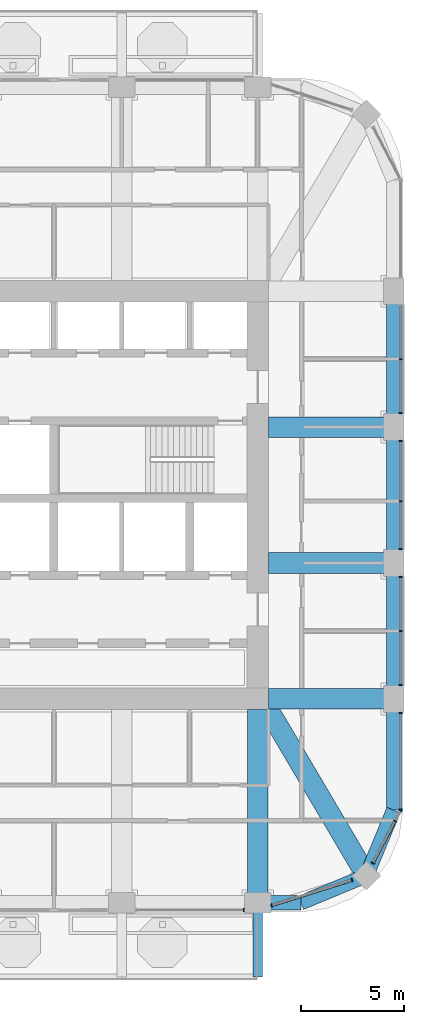
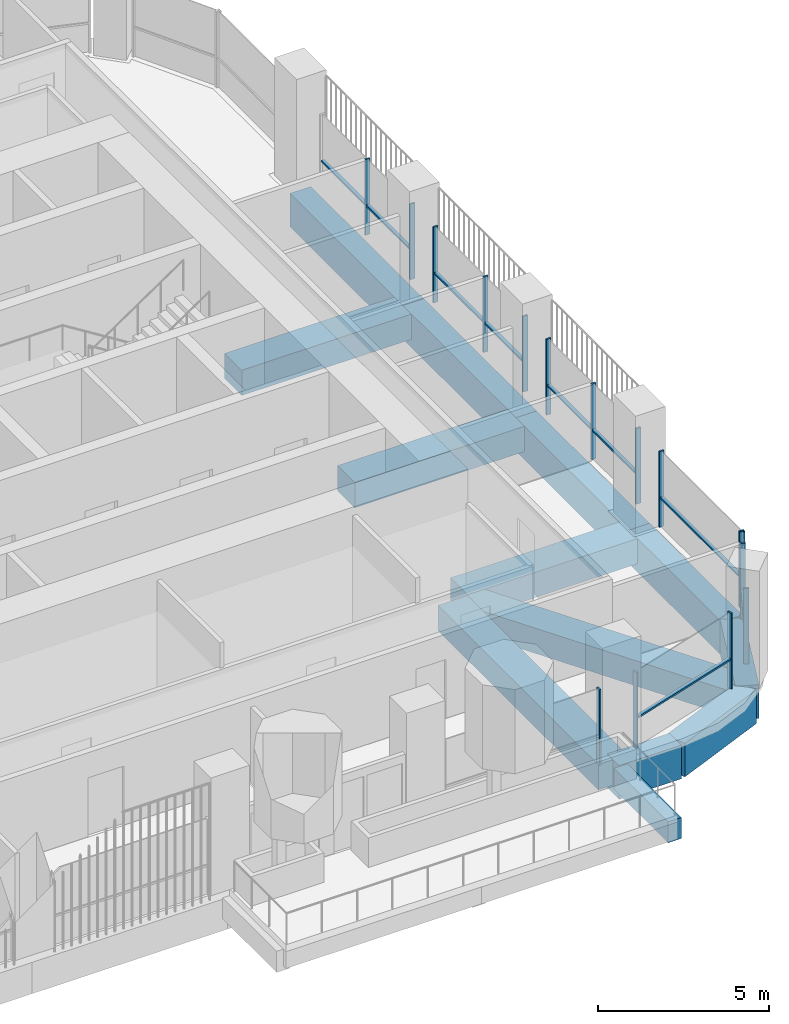
# One storey, part 5 of 21: 25 members, 13 beams, 7 elements without a shape of their own.
"""IFC4 building model written with IfcOpenShell, lengths in metres."""

from ifc_helpers import new_model, si_unit, direction, frame, origin, origin_2d, place, context, subcontext, project, spatial, rectangle, extrude, material, material_profile, profile_set, type_object, element, aggregate, save


model = new_model("IFC4")

# Units and contexts
model_context = context("Model", 3, precision=1e-05, world=origin(), true_north=direction((0.0, 1.0)))
body_context = subcontext(model_context, "Body", "Model", "MODEL_VIEW")
ifc_project = project(units=[si_unit("LENGTHUNIT", "METRE"), si_unit("AREAUNIT", "SQUARE_METRE"), si_unit("VOLUMEUNIT", "CUBIC_METRE"), si_unit("PLANEANGLEUNIT", "RADIAN"), si_unit("MASSUNIT", "GRAM", prefix="KILO")], contexts=[model_context])

# Site, building, storey
site_placement = place(None, origin())
site = spatial("IfcSite", under=ifc_project, at=site_placement, CompositionType="ELEMENT")
building_placement = place(site_placement, origin())
building = spatial("IfcBuilding", under=site, at=building_placement, Name="Cobogo Forest Laboratory Tower", CompositionType="ELEMENT")
storey_placement = place(building_placement, frame((0.0, 0.0, 250.199951171875)))
storey = spatial("IfcBuildingStorey", under=building, at=storey_placement, Name="L57", CompositionType="ELEMENT", Elevation=250.199951171875)

# Beam
ifc_material_1 = material(Name="Concrete HA-40 (C40/50)", Category="concrete")
ifc_material_profile_1 = material_profile(ifc_material_1, rectangle(XDim=0.449951171875, YDim=0.75, at=origin_2d()), Name="RC 450x750")
ifc_profile_set_1 = profile_set([ifc_material_profile_1], Name="Concrete HA-40 (C40/50)")
beam_type_1 = type_object("IfcBeamType", Name="Balcony cantilever beam 450x750", PredefinedType="BEAM", material=ifc_profile_set_1)
beam_1_placement = place(storey_placement, frame((39.60009765625, 2.85009765625, -0.625), z_axis=(0.0, -1.0, 0.0), x_axis=(1.0, 0.0, 0.0)))
element("IfcBeam", 1, at=beam_1_placement, inside=storey, type_object=beam_type_1, Name="CB1 BAL-S1-C3 L57", PredefinedType="BEAM", context=body_context, shape_type="SweptSolid", body=[
    extrude(rectangle(XDim=0.449951171875, YDim=0.75, at=origin_2d()), origin(), (0.0, 0.0, 1.0), 3.150146484375),
])

# Curtain wall, member
ifc_material_2 = material(Name="Aluminium curtain wall", Category="aluminium")
curtain_wall_type = type_object("IfcCurtainWallType", Name="CW-2 unitised curtain wall, solar control glazing, laboratory floors zones C and D", PredefinedType="USERDEFINED", material=ifc_material_2)
curtain_wall_1_placement = place(storey_placement, origin())
curtain_wall_1 = element("IfcCurtainWall", 2, at=curtain_wall_1_placement, inside=storey, type_object=curtain_wall_type, Name="Curtain wall 04 L57", ObjectType="UNITISED CURTAIN WALL", PredefinedType="USERDEFINED")
ifc_material_3 = material(Name="Aluminium mullion", Category="aluminium")
ifc_material_profile_2 = material_profile(ifc_material_3, rectangle(XDim=0.06005859375, YDim=0.159912109375, at=origin_2d()), Name="AL 60x160")
ifc_profile_set_2 = profile_set([ifc_material_profile_2], Name="Aluminium mullion")
member_type_1 = type_object("IfcMemberType", Name="MU-1 aluminium mullion 60x160", PredefinedType="MULLION", material=ifc_profile_set_2)
member_1_placement = place(storey_placement, frame((38.919921875, 2.949951171875, 0.0), z_axis=(0.0, 0.0, 1.0), x_axis=(1.0, 0.0, 0.0)))
member_1 = element("IfcMember", 3, at=member_1_placement, type_object=member_type_1, Name="CW-2 mullion 2", PredefinedType="MULLION", context=body_context, shape_type="SweptSolid", body=[
    extrude(rectangle(XDim=0.06005859375, YDim=0.159912109375, at=origin_2d()), origin(), (0.0, 0.0, 1.0), 2.699951171875),
])
aggregate(curtain_wall_1, [member_1])

# Curtain wall, members
curtain_wall_2_placement = place(storey_placement, origin())
curtain_wall_2 = element("IfcCurtainWall", 4, at=curtain_wall_2_placement, inside=storey, type_object=curtain_wall_type, Name="Curtain wall 05 L57", ObjectType="UNITISED CURTAIN WALL", PredefinedType="USERDEFINED")
member_2_placement = place(storey_placement, frame((40.278564453125, 3.164306640625, 0.0), z_axis=(0.0, 0.0, 1.0), x_axis=(0.953581386052, 0.301135418334, 0.0)))
member_2 = element("IfcMember", 5, at=member_2_placement, type_object=member_type_1, Name="CW-2 mullion 1", PredefinedType="MULLION", context=body_context, shape_type="SweptSolid", body=[
    extrude(rectangle(XDim=0.06005859375, YDim=0.159912109375, at=origin_2d()), origin(), (0.0, 0.0, 1.0), 2.699951171875),
])
member_3_placement = place(storey_placement, frame((44.17626953125, 4.395263671875, 0.0), z_axis=(0.0, 0.0, 1.0), x_axis=(0.953581386052, 0.301135418334, 0.0)))
member_3 = element("IfcMember", 6, at=member_3_placement, type_object=member_type_1, Name="CW-2 mullion 2", PredefinedType="MULLION", context=body_context, shape_type="SweptSolid", body=[
    extrude(rectangle(XDim=0.06005859375, YDim=0.159912109375, at=origin_2d()), origin(), (0.0, 0.0, 1.0), 2.699951171875),
])

curtain_wall_3_placement = place(storey_placement, origin())
curtain_wall_3 = element("IfcCurtainWall", 7, at=curtain_wall_3_placement, inside=storey, type_object=curtain_wall_type, Name="Curtain wall 06 L57", ObjectType="UNITISED CURTAIN WALL", PredefinedType="USERDEFINED")
member_4_placement = place(storey_placement, frame((45.202392578125, 5.229248046875, 0.0), z_axis=(0.0, 0.0, 1.0), x_axis=(0.464283791352, 0.885686491422, 0.0)))
member_4 = element("IfcMember", 8, at=member_4_placement, type_object=member_type_1, Name="CW-2 mullion 1", PredefinedType="MULLION", context=body_context, shape_type="SweptSolid", body=[
    extrude(rectangle(XDim=0.06005859375, YDim=0.159912109375, at=origin_2d()), origin(), (0.0, 0.0, 1.0), 2.699951171875),
])
member_5_placement = place(storey_placement, frame((46.268310546875, 7.262939453125, 0.0), z_axis=(0.0, 0.0, 1.0), x_axis=(0.464283791352, 0.885686491422, 0.0)))
member_5 = element("IfcMember", 9, at=member_5_placement, type_object=member_type_1, Name="CW-2 mullion 2", PredefinedType="MULLION", context=body_context, shape_type="SweptSolid", body=[
    extrude(rectangle(XDim=0.06005859375, YDim=0.159912109375, at=origin_2d()), origin(), (0.0, 0.0, 1.0), 2.699951171875),
])
member_6_placement = place(storey_placement, frame((46.5361328125, 7.7734375, 0.0), z_axis=(0.0, 0.0, 1.0), x_axis=(0.464283791352, 0.885686491422, 0.0)))
member_6 = element("IfcMember", 10, at=member_6_placement, type_object=member_type_1, Name="CW-2 mullion 3", PredefinedType="MULLION", context=body_context, shape_type="SweptSolid", body=[
    extrude(rectangle(XDim=0.06005859375, YDim=0.159912109375, at=origin_2d()), origin(), (0.0, 0.0, 1.0), 2.699951171875),
])

curtain_wall_4_placement = place(storey_placement, origin())
curtain_wall_4 = element("IfcCurtainWall", 11, at=curtain_wall_4_placement, inside=storey, type_object=curtain_wall_type, Name="Curtain wall 07 L57", ObjectType="UNITISED CURTAIN WALL", PredefinedType="USERDEFINED")
member_7_placement = place(storey_placement, frame((46.550048828125, 7.830078125, 0.0), z_axis=(0.0, 0.0, 1.0), x_axis=(0.0, 1.0, 0.0)))
member_7 = element("IfcMember", 12, at=member_7_placement, type_object=member_type_1, Name="CW-2 mullion 1", PredefinedType="MULLION", context=body_context, shape_type="SweptSolid", body=[
    extrude(rectangle(XDim=0.06005859375, YDim=0.159912109375, at=origin_2d()), origin(), (0.0, 0.0, 1.0), 2.699951171875),
])
member_8_placement = place(storey_placement, frame((46.550048828125, 12.52001953125, 0.0), z_axis=(0.0, 0.0, 1.0), x_axis=(0.0, 1.0, 0.0)))
member_8 = element("IfcMember", 13, at=member_8_placement, type_object=member_type_1, Name="CW-2 mullion 2", PredefinedType="MULLION", context=body_context, shape_type="SweptSolid", body=[
    extrude(rectangle(XDim=0.06005859375, YDim=0.159912109375, at=origin_2d()), origin(), (0.0, 0.0, 1.0), 2.699951171875),
])

curtain_wall_5_placement = place(storey_placement, origin())
curtain_wall_5 = element("IfcCurtainWall", 14, at=curtain_wall_5_placement, inside=storey, type_object=curtain_wall_type, Name="Curtain wall 08 L57", ObjectType="UNITISED CURTAIN WALL", PredefinedType="USERDEFINED")
member_9_placement = place(storey_placement, frame((46.550048828125, 13.8798828125, 0.0), z_axis=(0.0, 0.0, 1.0), x_axis=(0.0, 1.0, 0.0)))
member_9 = element("IfcMember", 15, at=member_9_placement, type_object=member_type_1, Name="CW-2 mullion 1", PredefinedType="MULLION", context=body_context, shape_type="SweptSolid", body=[
    extrude(rectangle(XDim=0.06005859375, YDim=0.159912109375, at=origin_2d()), origin(), (0.0, 0.0, 1.0), 2.699951171875),
])
member_10_placement = place(storey_placement, frame((46.550048828125, 16.5, 0.0), z_axis=(0.0, 0.0, 1.0), x_axis=(0.0, 1.0, 0.0)))
member_10 = element("IfcMember", 16, at=member_10_placement, type_object=member_type_1, Name="CW-2 mullion 2", PredefinedType="MULLION", context=body_context, shape_type="SweptSolid", body=[
    extrude(rectangle(XDim=0.06005859375, YDim=0.159912109375, at=origin_2d()), origin(), (0.0, 0.0, 1.0), 2.699951171875),
])
member_11_placement = place(storey_placement, frame((46.550048828125, 19.1201171875, 0.0), z_axis=(0.0, 0.0, 1.0), x_axis=(0.0, 1.0, 0.0)))
member_11 = element("IfcMember", 17, at=member_11_placement, type_object=member_type_1, Name="CW-2 mullion 3", PredefinedType="MULLION", context=body_context, shape_type="SweptSolid", body=[
    extrude(rectangle(XDim=0.06005859375, YDim=0.159912109375, at=origin_2d()), origin(), (0.0, 0.0, 1.0), 2.699951171875),
])

curtain_wall_6_placement = place(storey_placement, origin())
curtain_wall_6 = element("IfcCurtainWall", 18, at=curtain_wall_6_placement, inside=storey, type_object=curtain_wall_type, Name="Curtain wall 09 L57", ObjectType="UNITISED CURTAIN WALL", PredefinedType="USERDEFINED")
member_12_placement = place(storey_placement, frame((46.550048828125, 20.47998046875, 0.0), z_axis=(0.0, 0.0, 1.0), x_axis=(0.0, 1.0, 0.0)))
member_12 = element("IfcMember", 19, at=member_12_placement, type_object=member_type_1, Name="CW-2 mullion 1", PredefinedType="MULLION", context=body_context, shape_type="SweptSolid", body=[
    extrude(rectangle(XDim=0.06005859375, YDim=0.159912109375, at=origin_2d()), origin(), (0.0, 0.0, 1.0), 2.699951171875),
])
member_13_placement = place(storey_placement, frame((46.550048828125, 22.800048828125, 0.0), z_axis=(0.0, 0.0, 1.0), x_axis=(0.0, 1.0, 0.0)))
member_13 = element("IfcMember", 20, at=member_13_placement, type_object=member_type_1, Name="CW-2 mullion 2", PredefinedType="MULLION", context=body_context, shape_type="SweptSolid", body=[
    extrude(rectangle(XDim=0.06005859375, YDim=0.159912109375, at=origin_2d()), origin(), (0.0, 0.0, 1.0), 2.699951171875),
])
member_14_placement = place(storey_placement, frame((46.550048828125, 25.719970703125, 0.0), z_axis=(0.0, 0.0, 1.0), x_axis=(0.0, 1.0, 0.0)))
member_14 = element("IfcMember", 21, at=member_14_placement, type_object=member_type_1, Name="CW-2 mullion 3", PredefinedType="MULLION", context=body_context, shape_type="SweptSolid", body=[
    extrude(rectangle(XDim=0.06005859375, YDim=0.159912109375, at=origin_2d()), origin(), (0.0, 0.0, 1.0), 2.699951171875),
])

curtain_wall_7_placement = place(storey_placement, origin())
curtain_wall_7 = element("IfcCurtainWall", 22, at=curtain_wall_7_placement, inside=storey, type_object=curtain_wall_type, Name="Curtain wall 10 L57", ObjectType="UNITISED CURTAIN WALL", PredefinedType="USERDEFINED")
member_15_placement = place(storey_placement, frame((46.550048828125, 27.080078125, 0.0), z_axis=(0.0, 0.0, 1.0), x_axis=(0.0, 1.0, 0.0)))
member_15 = element("IfcMember", 23, at=member_15_placement, type_object=member_type_1, Name="CW-2 mullion 1", PredefinedType="MULLION", context=body_context, shape_type="SweptSolid", body=[
    extrude(rectangle(XDim=0.06005859375, YDim=0.159912109375, at=origin_2d()), origin(), (0.0, 0.0, 1.0), 2.699951171875),
])
member_16_placement = place(storey_placement, frame((46.550048828125, 29.699951171875, 0.0), z_axis=(0.0, 0.0, 1.0), x_axis=(0.0, 1.0, 0.0)))
member_16 = element("IfcMember", 24, at=member_16_placement, type_object=member_type_1, Name="CW-2 mullion 2", PredefinedType="MULLION", context=body_context, shape_type="SweptSolid", body=[
    extrude(rectangle(XDim=0.06005859375, YDim=0.159912109375, at=origin_2d()), origin(), (0.0, 0.0, 1.0), 2.699951171875),
])

# Beams
ifc_material_profile_3 = material_profile(ifc_material_1, rectangle(XDim=1.0, YDim=0.89990234375, at=origin_2d()), Name="RC 1000x900")
ifc_profile_set_3 = profile_set([ifc_material_profile_3], Name="Concrete HA-40 (C40/50)")
beam_type_2 = type_object("IfcBeamType", Name="Office floor wide beam 1000x900", PredefinedType="BEAM", material=ifc_profile_set_3)
beam_2_placement = place(storey_placement, frame((39.60009765625, 12.675048828125, -0.75), z_axis=(0.0, -1.0, 0.0), x_axis=(1.0, 0.0, 0.0)))
element("IfcBeam", 25, at=beam_2_placement, inside=storey, type_object=beam_type_2, Name="RB2 R-7-S L57", PredefinedType="BEAM", context=body_context, shape_type="SweptSolid", body=[
    extrude(rectangle(XDim=1.0, YDim=0.89990234375, at=origin_2d()), origin(), (0.0, 0.0, 1.0), 9.375),
])
for number, where, z_axis, x_axis, name in (
    (26, (40.125, 13.199951171875, -0.75), (1.0, 0.0, 0.0), (0.0, 1.0, 0.0), "RB2 R-C-E L57"),
    (27, (40.125, 19.800048828125, -0.75), (1.0, 0.0, 0.0), (0.0, 1.0, 0.0), "RB2 R-D-E L57"),
    (28, (40.125, 26.39990234375, -0.75), (1.0, 0.0, 0.0), (0.0, 1.0, 0.0), "RB2 R-E-E L57"),
):
    element("IfcBeam", number, at=place(storey_placement, frame(where, z_axis=z_axis, x_axis=x_axis)), inside=storey, type_object=beam_type_2, Name=name, PredefinedType="BEAM", context=body_context, shape_type="SweptSolid", body=[
        extrude(rectangle(XDim=1.0, YDim=0.89990234375, at=origin_2d()), origin(), (0.0, 0.0, 1.0), 6.074951171875),
    ])
beam_3_placement = place(storey_placement, frame((44.882080078125, 4.617919921875, -0.75), z_axis=(-0.508416325908, 0.861111397875, 0.0), x_axis=(-0.861111397875, -0.508416325908, 0.0)))
element("IfcBeam", 29, at=beam_3_placement, inside=storey, type_object=beam_type_2, Name="RB2 G-SE-D1 L57", PredefinedType="BEAM", context=body_context, shape_type="SweptSolid", body=[
    extrude(rectangle(XDim=1.0, YDim=0.89990234375, at=origin_2d()), origin(), (0.0, 0.0, 1.0), 9.356689453125),
])
ifc_material_profile_4 = material_profile(ifc_material_1, rectangle(XDim=0.699951171875, YDim=1.199951171875, at=origin_2d()), Name="RC 700x1200")
ifc_profile_set_4 = profile_set([ifc_material_profile_4], Name="Concrete HA-40 (C40/50)")
beam_type_3 = type_object("IfcBeamType", Name="Perimeter edge beam 700x1200", PredefinedType="BEAM", material=ifc_profile_set_4)
beam_4_placement = place(storey_placement, frame((46.199951171875, 13.199951171875, -0.89990234375), z_axis=(0.0, 1.0, 0.0), x_axis=(-1.0, 0.0, 0.0)))
element("IfcBeam", 30, at=beam_4_placement, inside=storey, type_object=beam_type_3, Name="EB1 E-E1 L57", PredefinedType="BEAM", context=body_context, shape_type="SweptSolid", body=[
    extrude(rectangle(XDim=0.699951171875, YDim=1.199951171875, at=origin_2d()), origin(), (0.0, 0.0, 1.0), 6.60009765625),
])
beam_5_placement = place(storey_placement, frame((46.199951171875, 19.800048828125, -0.89990234375), z_axis=(0.0, 1.0, 0.0), x_axis=(-1.0, 0.0, 0.0)))
element("IfcBeam", 31, at=beam_5_placement, inside=storey, type_object=beam_type_3, Name="EB1 E-E2 L57", PredefinedType="BEAM", context=body_context, shape_type="SweptSolid", body=[
    extrude(rectangle(XDim=0.699951171875, YDim=1.199951171875, at=origin_2d()), origin(), (0.0, 0.0, 1.0), 6.599853515625),
])
beam_6_placement = place(storey_placement, frame((46.199951171875, 26.39990234375, -0.89990234375), z_axis=(0.0, 1.0, 0.0), x_axis=(-1.0, 0.0, 0.0)))
element("IfcBeam", 32, at=beam_6_placement, inside=storey, type_object=beam_type_3, Name="EB1 E-E3 L57", PredefinedType="BEAM", context=body_context, shape_type="SweptSolid", body=[
    extrude(rectangle(XDim=0.699951171875, YDim=1.199951171875, at=origin_2d()), origin(), (0.0, 0.0, 1.0), 6.60009765625),
])
beam_7_placement = place(storey_placement, frame((39.60009765625, 3.300048828125, -0.89990234375), z_axis=(1.0, 0.0, 0.0), x_axis=(0.0, 1.0, 0.0)))
element("IfcBeam", 33, at=beam_7_placement, inside=storey, type_object=beam_type_3, Name="EB1 E-SES1 L57", PredefinedType="BEAM", context=body_context, shape_type="SweptSolid", body=[
    extrude(rectangle(XDim=0.699951171875, YDim=1.199951171875, at=origin_2d()), origin(), (0.0, 0.0, 1.0), 2.099853515625),
])
beam_8_placement = place(storey_placement, frame((41.699951171875, 3.300048828125, -0.89990234375), z_axis=(0.923901072997, 0.382631424892, 0.0), x_axis=(-0.382631424892, 0.923901072997, 0.0)))
element("IfcBeam", 34, at=beam_8_placement, inside=storey, type_object=beam_type_3, Name="EB1 E-SES2 L57", PredefinedType="BEAM", context=body_context, shape_type="SweptSolid", body=[
    extrude(rectangle(XDim=0.699951171875, YDim=1.199951171875, at=origin_2d()), origin(), (0.0, 0.0, 1.0), 3.4443359375),
])
beam_9_placement = place(storey_placement, frame((46.199951171875, 13.199951171875, -0.89990234375), z_axis=(0.0, -1.0, 0.0), x_axis=(1.0, 0.0, 0.0)))
element("IfcBeam", 35, at=beam_9_placement, inside=storey, type_object=beam_type_3, Name="EB1 E-SEE1 L57", PredefinedType="BEAM", context=body_context, shape_type="SweptSolid", body=[
    extrude(rectangle(XDim=0.699951171875, YDim=1.199951171875, at=origin_2d()), origin(), (0.0, 0.0, 1.0), 5.39990234375),
])
beam_10_placement = place(storey_placement, frame((46.199951171875, 7.800048828125, -0.89990234375), z_axis=(-0.382631424892, -0.923901072997, 0.0), x_axis=(0.923901072997, -0.382631424892, 0.0)))
element("IfcBeam", 36, at=beam_10_placement, inside=storey, type_object=beam_type_3, Name="EB1 E-SEE2 L57", PredefinedType="BEAM", context=body_context, shape_type="SweptSolid", body=[
    extrude(rectangle(XDim=0.699951171875, YDim=1.199951171875, at=origin_2d()), origin(), (0.0, 0.0, 1.0), 3.4443359375),
])

# Member
ifc_material_4 = material(Name="Aluminium transom", Category="aluminium")
ifc_material_profile_5 = material_profile(ifc_material_4, rectangle(XDim=0.1201171875, YDim=0.06005859375, at=origin_2d()), Name="AL 60x120")
ifc_profile_set_5 = profile_set([ifc_material_profile_5], Name="Aluminium transom")
member_type_2 = type_object("IfcMemberType", Name="TR-1 aluminium transom 60x120", PredefinedType="USERDEFINED", material=ifc_profile_set_5)
member_17_placement = place(storey_placement, frame((40.30712890625, 3.17333984375, 1.050048828125), z_axis=(0.953577168155, 0.301148774483, 0.0), x_axis=(-0.301148774483, 0.953577168155, 0.0)))
member_17 = element("IfcMember", 37, at=member_17_placement, type_object=member_type_2, Name="CW-2 transom 1.1", ObjectType="TRANSOM", PredefinedType="USERDEFINED", context=body_context, shape_type="SweptSolid", body=[
    extrude(rectangle(XDim=0.1201171875, YDim=0.06005859375, at=origin_2d()), origin(), (0.0, 0.0, 1.0), 4.027587890625),
])

aggregate(curtain_wall_2, [member_2, member_3, member_17])

member_18_placement = place(storey_placement, frame((45.21630859375, 5.255615234375, 1.050048828125), z_axis=(0.464206875758, 0.885726806921, 0.0), x_axis=(-0.885726806921, 0.464206875758, 0.0)))
member_18 = element("IfcMember", 38, at=member_18_placement, type_object=member_type_2, Name="CW-2 transom 1.1", ObjectType="TRANSOM", PredefinedType="USERDEFINED", context=body_context, shape_type="SweptSolid", body=[
    extrude(rectangle(XDim=0.1201171875, YDim=0.06005859375, at=origin_2d()), origin(), (0.0, 0.0, 1.0), 2.236328125),
])

aggregate(curtain_wall_3, [member_4, member_5, member_6, member_18])

member_19_placement = place(storey_placement, frame((46.550048828125, 7.860107421875, 1.050048828125), z_axis=(0.0, 1.0, 0.0), x_axis=(-1.0, 0.0, 0.0)))
member_19 = element("IfcMember", 39, at=member_19_placement, type_object=member_type_2, Name="CW-2 transom 1.1", ObjectType="TRANSOM", PredefinedType="USERDEFINED", context=body_context, shape_type="SweptSolid", body=[
    extrude(rectangle(XDim=0.1201171875, YDim=0.06005859375, at=origin_2d()), origin(), (0.0, 0.0, 1.0), 4.6298828125),
])

aggregate(curtain_wall_4, [member_7, member_8, member_19])

member_20_placement = place(storey_placement, frame((46.550048828125, 13.909912109375, 1.050048828125), z_axis=(0.0, 1.0, 0.0), x_axis=(-1.0, 0.0, 0.0)))
member_20 = element("IfcMember", 40, at=member_20_placement, type_object=member_type_2, Name="CW-2 transom 1.1", ObjectType="TRANSOM", PredefinedType="USERDEFINED", context=body_context, shape_type="SweptSolid", body=[
    extrude(rectangle(XDim=0.1201171875, YDim=0.06005859375, at=origin_2d()), origin(), (0.0, 0.0, 1.0), 2.56005859375),
])

member_21_placement = place(storey_placement, frame((46.550048828125, 16.530029296875, 1.050048828125), z_axis=(0.0, 1.0, 0.0), x_axis=(-1.0, 0.0, 0.0)))
member_21 = element("IfcMember", 41, at=member_21_placement, type_object=member_type_2, Name="CW-2 transom 2.1", ObjectType="TRANSOM", PredefinedType="USERDEFINED", context=body_context, shape_type="SweptSolid", body=[
    extrude(rectangle(XDim=0.1201171875, YDim=0.06005859375, at=origin_2d()), origin(), (0.0, 0.0, 1.0), 2.56005859375),
])

aggregate(curtain_wall_5, [member_9, member_10, member_11, member_20, member_21])

member_22_placement = place(storey_placement, frame((46.550048828125, 20.510009765625, 1.050048828125), z_axis=(0.0, 1.0, 0.0), x_axis=(-1.0, 0.0, 0.0)))
member_22 = element("IfcMember", 42, at=member_22_placement, type_object=member_type_2, Name="CW-2 transom 1.1", ObjectType="TRANSOM", PredefinedType="USERDEFINED", context=body_context, shape_type="SweptSolid", body=[
    extrude(rectangle(XDim=0.1201171875, YDim=0.06005859375, at=origin_2d()), origin(), (0.0, 0.0, 1.0), 2.260009765625),
])

member_23_placement = place(storey_placement, frame((46.550048828125, 22.830078125, 1.050048828125), z_axis=(0.0, 1.0, 0.0), x_axis=(-1.0, 0.0, 0.0)))
member_23 = element("IfcMember", 43, at=member_23_placement, type_object=member_type_2, Name="CW-2 transom 2.1", ObjectType="TRANSOM", PredefinedType="USERDEFINED", context=body_context, shape_type="SweptSolid", body=[
    extrude(rectangle(XDim=0.1201171875, YDim=0.06005859375, at=origin_2d()), origin(), (0.0, 0.0, 1.0), 2.85986328125),
])

aggregate(curtain_wall_6, [member_12, member_13, member_14, member_22, member_23])

member_24_placement = place(storey_placement, frame((46.550048828125, 27.110107421875, 1.050048828125), z_axis=(0.0, 1.0, 0.0), x_axis=(-1.0, 0.0, 0.0)))
member_24 = element("IfcMember", 44, at=member_24_placement, type_object=member_type_2, Name="CW-2 transom 1.1", ObjectType="TRANSOM", PredefinedType="USERDEFINED", context=body_context, shape_type="SweptSolid", body=[
    extrude(rectangle(XDim=0.1201171875, YDim=0.06005859375, at=origin_2d()), origin(), (0.0, 0.0, 1.0), 2.559814453125),
])

member_25_placement = place(storey_placement, frame((46.550048828125, 29.72998046875, 1.050048828125), z_axis=(0.0, 1.0, 0.0), x_axis=(-1.0, 0.0, 0.0)))
member_25 = element("IfcMember", 45, at=member_25_placement, type_object=member_type_2, Name="CW-2 transom 2.1", ObjectType="TRANSOM", PredefinedType="USERDEFINED", context=body_context, shape_type="SweptSolid", body=[
    extrude(rectangle(XDim=0.1201171875, YDim=0.06005859375, at=origin_2d()), origin(), (0.0, 0.0, 1.0), 2.56005859375),
])

aggregate(curtain_wall_7, [member_15, member_16, member_24, member_25])

save(model, "model.ifc")
